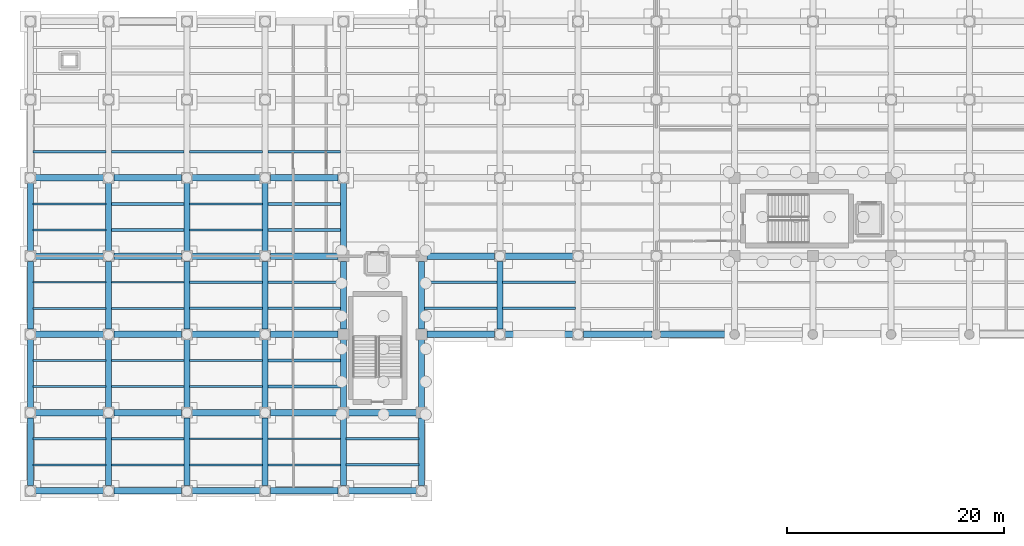
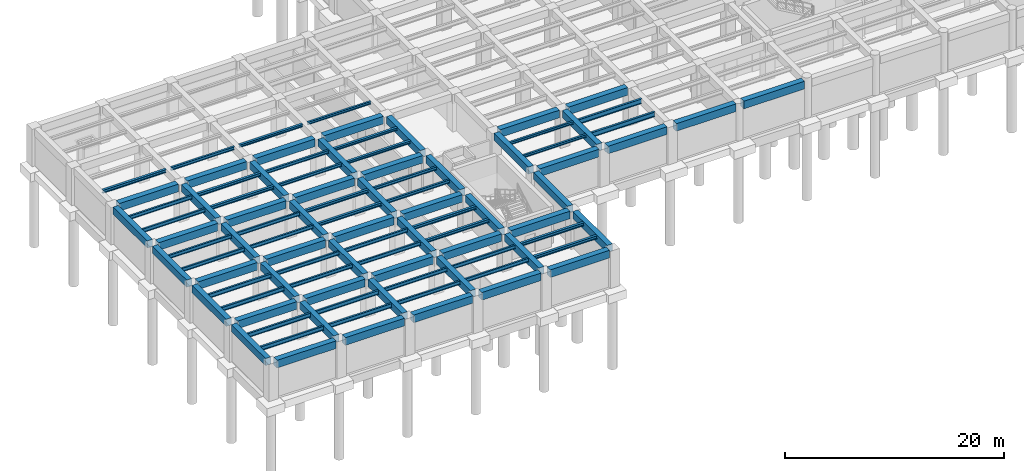
# One storey, part 8 of 34: 94 beams.
"""IFC4 building model written with IfcOpenShell, lengths in metres."""

from ifc_helpers import new_model, si_unit, direction, frame, origin, origin_2d, place, context, subcontext, project, spatial, rectangle, i_section, extrude, material, material_profile, profile_set, type_object, element, save


model = new_model("IFC4")

# Units and contexts
model_context = context("Model", 3, precision=1e-05, world=origin(), true_north=direction((0.0, 1.0)))
body_context = subcontext(model_context, "Body", "Model", "MODEL_VIEW")
ifc_project = project(units=[si_unit("LENGTHUNIT", "METRE"), si_unit("AREAUNIT", "SQUARE_METRE"), si_unit("VOLUMEUNIT", "CUBIC_METRE"), si_unit("PLANEANGLEUNIT", "RADIAN"), si_unit("MASSUNIT", "GRAM", prefix="KILO")], contexts=[model_context])

# Site, building, storey
site_placement = place(None, origin())
site = spatial("IfcSite", under=ifc_project, at=site_placement, CompositionType="ELEMENT")
building_placement = place(site_placement, origin())
building = spatial("IfcBuilding", under=site, at=building_placement, Name="Solenvale Faculty of Natural Sciences", CompositionType="ELEMENT")
storey_placement = place(building_placement, frame((0.0, 0.0, -4.5)))
storey = spatial("IfcBuildingStorey", under=building, at=storey_placement, Name="B01", CompositionType="ELEMENT", Elevation=-4.5)

# Beams
ifc_material_1 = material(Name="Concrete 40 MPa", Category="concrete")
ifc_material_profile_1 = material_profile(ifc_material_1, rectangle(XDim=0.550048828125, YDim=0.800048828125, at=origin_2d()), Name="RC-BM-550x800")
ifc_profile_set_1 = profile_set([ifc_material_profile_1], Name="Concrete 40 MPa")
beam_type_1 = type_object("IfcBeamType", Name="BM-RC-550x800", PredefinedType="BEAM", material=ifc_profile_set_1)
for number, where, z_axis, x_axis, name in (
    (1, (0.0, 0.47998046875, 3.75), (0.0, 1.0, 0.0), (-1.0, 0.0, 0.0), "B01 Y-Girder X0.0 (0.0..7.2)"),
    (2, (0.0, 7.679931640625, 3.75), (0.0, 1.0, 0.0), (-1.0, 0.0, 0.0), "B01 Y-Girder X0.0 (7.2..14.4)"),
):
    element("IfcBeam", number, at=place(storey_placement, frame(where, z_axis=z_axis, x_axis=x_axis)), inside=storey, type_object=beam_type_1, Name=name, PredefinedType="BEAM", context=body_context, shape_type="SweptSolid", body=[
        extrude(rectangle(XDim=0.550048828125, YDim=0.800048828125, at=origin_2d()), origin(), (0.0, 0.0, 1.0), 6.239990234375),
    ])
beam_1_placement = place(storey_placement, frame((0.0, 14.8798828125, 3.75), z_axis=(0.0, 1.0, 0.0), x_axis=(-1.0, 0.0, 0.0)))
element("IfcBeam", 3, at=beam_1_placement, inside=storey, type_object=beam_type_1, Name="B01 Y-Girder X0.0 (14.4..21.6)", PredefinedType="BEAM", context=body_context, shape_type="SweptSolid", body=[
    extrude(rectangle(XDim=0.550048828125, YDim=0.800048828125, at=origin_2d()), origin(), (0.0, 0.0, 1.0), 6.240234375),
])
for number, where, z_axis, x_axis, name in (
    (4, (0.0, 22.080078125, 3.75), (0.0, 1.0, 0.0), (-1.0, 0.0, 0.0), "B01 Y-Girder X0.0 (21.6..28.8)"),
    (5, (7.199951171875, 0.47998046875, 3.75), (0.0, 1.0, 0.0), (-1.0, 0.0, 0.0), "B01 Y-Girder X7.2 (0.0..7.2)"),
    (6, (7.199951171875, 7.679931640625, 3.75), (0.0, 1.0, 0.0), (-1.0, 0.0, 0.0), "B01 Y-Girder X7.2 (7.2..14.4)"),
):
    element("IfcBeam", number, at=place(storey_placement, frame(where, z_axis=z_axis, x_axis=x_axis)), inside=storey, type_object=beam_type_1, Name=name, PredefinedType="BEAM", context=body_context, shape_type="SweptSolid", body=[
        extrude(rectangle(XDim=0.550048828125, YDim=0.800048828125, at=origin_2d()), origin(), (0.0, 0.0, 1.0), 6.239990234375),
    ])
beam_2_placement = place(storey_placement, frame((7.199951171875, 14.8798828125, 3.75), z_axis=(0.0, 1.0, 0.0), x_axis=(-1.0, 0.0, 0.0)))
element("IfcBeam", 7, at=beam_2_placement, inside=storey, type_object=beam_type_1, Name="B01 Y-Girder X7.2 (14.4..21.6)", PredefinedType="BEAM", context=body_context, shape_type="SweptSolid", body=[
    extrude(rectangle(XDim=0.550048828125, YDim=0.800048828125, at=origin_2d()), origin(), (0.0, 0.0, 1.0), 6.240234375),
])
for number, where, z_axis, x_axis, name in (
    (8, (7.199951171875, 22.080078125, 3.75), (0.0, 1.0, 0.0), (-1.0, 0.0, 0.0), "B01 Y-Girder X7.2 (21.6..28.8)"),
    (9, (14.39990234375, 0.47998046875, 3.75), (0.0, 1.0, 0.0), (-1.0, 0.0, 0.0), "B01 Y-Girder X14.4 (0.0..7.2)"),
    (10, (14.39990234375, 7.679931640625, 3.75), (0.0, 1.0, 0.0), (-1.0, 0.0, 0.0), "B01 Y-Girder X14.4 (7.2..14.4)"),
):
    element("IfcBeam", number, at=place(storey_placement, frame(where, z_axis=z_axis, x_axis=x_axis)), inside=storey, type_object=beam_type_1, Name=name, PredefinedType="BEAM", context=body_context, shape_type="SweptSolid", body=[
        extrude(rectangle(XDim=0.550048828125, YDim=0.800048828125, at=origin_2d()), origin(), (0.0, 0.0, 1.0), 6.239990234375),
    ])
beam_3_placement = place(storey_placement, frame((14.39990234375, 14.8798828125, 3.75), z_axis=(0.0, 1.0, 0.0), x_axis=(-1.0, 0.0, 0.0)))
element("IfcBeam", 11, at=beam_3_placement, inside=storey, type_object=beam_type_1, Name="B01 Y-Girder X14.4 (14.4..21.6)", PredefinedType="BEAM", context=body_context, shape_type="SweptSolid", body=[
    extrude(rectangle(XDim=0.550048828125, YDim=0.800048828125, at=origin_2d()), origin(), (0.0, 0.0, 1.0), 6.240234375),
])
for number, where, z_axis, x_axis, name in (
    (12, (14.39990234375, 22.080078125, 3.75), (0.0, 1.0, 0.0), (-1.0, 0.0, 0.0), "B01 Y-Girder X14.4 (21.6..28.8)"),
    (13, (21.60009765625, 0.47998046875, 3.75), (0.0, 1.0, 0.0), (-1.0, 0.0, 0.0), "B01 Y-Girder X21.6 (0.0..7.2)"),
    (14, (21.60009765625, 7.679931640625, 3.75), (0.0, 1.0, 0.0), (-1.0, 0.0, 0.0), "B01 Y-Girder X21.6 (7.2..14.4)"),
):
    element("IfcBeam", number, at=place(storey_placement, frame(where, z_axis=z_axis, x_axis=x_axis)), inside=storey, type_object=beam_type_1, Name=name, PredefinedType="BEAM", context=body_context, shape_type="SweptSolid", body=[
        extrude(rectangle(XDim=0.550048828125, YDim=0.800048828125, at=origin_2d()), origin(), (0.0, 0.0, 1.0), 6.239990234375),
    ])
beam_4_placement = place(storey_placement, frame((21.60009765625, 14.8798828125, 3.75), z_axis=(0.0, 1.0, 0.0), x_axis=(-1.0, 0.0, 0.0)))
element("IfcBeam", 15, at=beam_4_placement, inside=storey, type_object=beam_type_1, Name="B01 Y-Girder X21.6 (14.4..21.6)", PredefinedType="BEAM", context=body_context, shape_type="SweptSolid", body=[
    extrude(rectangle(XDim=0.550048828125, YDim=0.800048828125, at=origin_2d()), origin(), (0.0, 0.0, 1.0), 6.240234375),
])
for number, where, z_axis, x_axis, name in (
    (16, (21.60009765625, 22.080078125, 3.75), (0.0, 1.0, 0.0), (-1.0, 0.0, 0.0), "B01 Y-Girder X21.6 (21.6..28.8)"),
    (17, (28.800048828125, 0.47998046875, 3.75), (0.0, 1.0, 0.0), (-1.0, 0.0, 0.0), "B01 Y-Girder X28.8 (0.0..7.2)"),
    (18, (28.800048828125, 7.679931640625, 3.75), (0.0, 1.0, 0.0), (-1.0, 0.0, 0.0), "B01 Y-Girder X28.8 (7.2..14.4)"),
):
    element("IfcBeam", number, at=place(storey_placement, frame(where, z_axis=z_axis, x_axis=x_axis)), inside=storey, type_object=beam_type_1, Name=name, PredefinedType="BEAM", context=body_context, shape_type="SweptSolid", body=[
        extrude(rectangle(XDim=0.550048828125, YDim=0.800048828125, at=origin_2d()), origin(), (0.0, 0.0, 1.0), 6.239990234375),
    ])
beam_5_placement = place(storey_placement, frame((28.800048828125, 14.8798828125, 3.75), z_axis=(0.0, 1.0, 0.0), x_axis=(-1.0, 0.0, 0.0)))
element("IfcBeam", 19, at=beam_5_placement, inside=storey, type_object=beam_type_1, Name="B01 Y-Girder X28.8 (14.4..21.6)", PredefinedType="BEAM", context=body_context, shape_type="SweptSolid", body=[
    extrude(rectangle(XDim=0.550048828125, YDim=0.800048828125, at=origin_2d()), origin(), (0.0, 0.0, 1.0), 6.240234375),
])
for number, where, z_axis, x_axis, name in (
    (20, (28.800048828125, 22.080078125, 3.75), (0.0, 1.0, 0.0), (-1.0, 0.0, 0.0), "B01 Y-Girder X28.8 (21.6..28.8)"),
    (21, (36.0, 0.47998046875, 3.75), (0.0, 1.0, 0.0), (-1.0, 0.0, 0.0), "B01 Y-Girder X36.0 (0.0..7.2)"),
    (22, (36.0, 7.679931640625, 3.75), (0.0, 1.0, 0.0), (-1.0, 0.0, 0.0), "B01 Y-Girder X36.0 (7.2..14.4)"),
):
    element("IfcBeam", number, at=place(storey_placement, frame(where, z_axis=z_axis, x_axis=x_axis)), inside=storey, type_object=beam_type_1, Name=name, PredefinedType="BEAM", context=body_context, shape_type="SweptSolid", body=[
        extrude(rectangle(XDim=0.550048828125, YDim=0.800048828125, at=origin_2d()), origin(), (0.0, 0.0, 1.0), 6.239990234375),
    ])
for number, where, z_axis, x_axis, name in (
    (23, (36.0, 14.8798828125, 3.75), (0.0, 1.0, 0.0), (-1.0, 0.0, 0.0), "B01 Y-Girder X36.0 (14.4..21.6)"),
    (24, (43.199951171875, 14.8798828125, 3.75), (0.0, 1.0, 0.0), (-1.0, 0.0, 0.0), "B01 Y-Girder X43.2 (14.4..21.6)"),
):
    element("IfcBeam", number, at=place(storey_placement, frame(where, z_axis=z_axis, x_axis=x_axis)), inside=storey, type_object=beam_type_1, Name=name, PredefinedType="BEAM", context=body_context, shape_type="SweptSolid", body=[
        extrude(rectangle(XDim=0.550048828125, YDim=0.800048828125, at=origin_2d()), origin(), (0.0, 0.0, 1.0), 6.240234375),
    ])
ifc_material_profile_2 = material_profile(ifc_material_1, rectangle(XDim=0.60009765625, YDim=0.85009765625, at=origin_2d()), Name="RC-BM-600x850")
ifc_profile_set_2 = profile_set([ifc_material_profile_2], Name="Concrete 40 MPa")
beam_type_2 = type_object("IfcBeamType", Name="BM-RC-600x850", PredefinedType="BEAM", material=ifc_profile_set_2)
for number, where, z_axis, x_axis, name in (
    (25, (0.47998046875, 0.0, 3.72509765625), (1.0, 0.0, 0.0), (0.0, 1.0, 0.0), "B01 X-Girder Y0.0 (0.0..7.2)"),
    (26, (7.679931640625, 0.0, 3.72509765625), (1.0, 0.0, 0.0), (0.0, 1.0, 0.0), "B01 X-Girder Y0.0 (7.2..14.4)"),
):
    element("IfcBeam", number, at=place(storey_placement, frame(where, z_axis=z_axis, x_axis=x_axis)), inside=storey, type_object=beam_type_2, Name=name, PredefinedType="BEAM", context=body_context, shape_type="SweptSolid", body=[
        extrude(rectangle(XDim=0.60009765625, YDim=0.85009765625, at=origin_2d()), origin(), (0.0, 0.0, 1.0), 6.239990234375),
    ])
beam_6_placement = place(storey_placement, frame((14.8798828125, 0.0, 3.72509765625), z_axis=(1.0, 0.0, 0.0), x_axis=(0.0, 1.0, 0.0)))
element("IfcBeam", 27, at=beam_6_placement, inside=storey, type_object=beam_type_2, Name="B01 X-Girder Y0.0 (14.4..21.6)", PredefinedType="BEAM", context=body_context, shape_type="SweptSolid", body=[
    extrude(rectangle(XDim=0.60009765625, YDim=0.85009765625, at=origin_2d()), origin(), (0.0, 0.0, 1.0), 6.240234375),
])
for number, where, z_axis, x_axis, name in (
    (28, (22.080078125, 0.0, 3.72509765625), (1.0, 0.0, 0.0), (0.0, 1.0, 0.0), "B01 X-Girder Y0.0 (21.6..28.8)"),
    (29, (29.280029296875, 0.0, 3.72509765625), (1.0, 0.0, 0.0), (0.0, 1.0, 0.0), "B01 X-Girder Y0.0 (28.8..36.0)"),
    (30, (0.47998046875, 7.199951171875, 3.72509765625), (1.0, 0.0, 0.0), (0.0, 1.0, 0.0), "B01 X-Girder Y7.2 (0.0..7.2)"),
    (31, (7.679931640625, 7.199951171875, 3.72509765625), (1.0, 0.0, 0.0), (0.0, 1.0, 0.0), "B01 X-Girder Y7.2 (7.2..14.4)"),
):
    element("IfcBeam", number, at=place(storey_placement, frame(where, z_axis=z_axis, x_axis=x_axis)), inside=storey, type_object=beam_type_2, Name=name, PredefinedType="BEAM", context=body_context, shape_type="SweptSolid", body=[
        extrude(rectangle(XDim=0.60009765625, YDim=0.85009765625, at=origin_2d()), origin(), (0.0, 0.0, 1.0), 6.239990234375),
    ])
beam_7_placement = place(storey_placement, frame((14.8798828125, 7.199951171875, 3.72509765625), z_axis=(1.0, 0.0, 0.0), x_axis=(0.0, 1.0, 0.0)))
element("IfcBeam", 32, at=beam_7_placement, inside=storey, type_object=beam_type_2, Name="B01 X-Girder Y7.2 (14.4..21.6)", PredefinedType="BEAM", context=body_context, shape_type="SweptSolid", body=[
    extrude(rectangle(XDim=0.60009765625, YDim=0.85009765625, at=origin_2d()), origin(), (0.0, 0.0, 1.0), 6.240234375),
])
for number, where, z_axis, x_axis, name in (
    (33, (22.080078125, 7.199951171875, 3.72509765625), (1.0, 0.0, 0.0), (0.0, 1.0, 0.0), "B01 X-Girder Y7.2 (21.6..28.8)"),
    (34, (29.280029296875, 7.199951171875, 3.72509765625), (1.0, 0.0, 0.0), (0.0, 1.0, 0.0), "B01 X-Girder Y7.2 (28.8..36.0)"),
    (35, (0.47998046875, 14.39990234375, 3.72509765625), (1.0, 0.0, 0.0), (0.0, 1.0, 0.0), "B01 X-Girder Y14.4 (0.0..7.2)"),
    (36, (7.679931640625, 14.39990234375, 3.72509765625), (1.0, 0.0, 0.0), (0.0, 1.0, 0.0), "B01 X-Girder Y14.4 (7.2..14.4)"),
):
    element("IfcBeam", number, at=place(storey_placement, frame(where, z_axis=z_axis, x_axis=x_axis)), inside=storey, type_object=beam_type_2, Name=name, PredefinedType="BEAM", context=body_context, shape_type="SweptSolid", body=[
        extrude(rectangle(XDim=0.60009765625, YDim=0.85009765625, at=origin_2d()), origin(), (0.0, 0.0, 1.0), 6.239990234375),
    ])
beam_8_placement = place(storey_placement, frame((14.8798828125, 14.39990234375, 3.72509765625), z_axis=(1.0, 0.0, 0.0), x_axis=(0.0, 1.0, 0.0)))
element("IfcBeam", 37, at=beam_8_placement, inside=storey, type_object=beam_type_2, Name="B01 X-Girder Y14.4 (14.4..21.6)", PredefinedType="BEAM", context=body_context, shape_type="SweptSolid", body=[
    extrude(rectangle(XDim=0.60009765625, YDim=0.85009765625, at=origin_2d()), origin(), (0.0, 0.0, 1.0), 6.240234375),
])
for number, where, z_axis, x_axis, name in (
    (38, (22.080078125, 14.39990234375, 3.72509765625), (1.0, 0.0, 0.0), (0.0, 1.0, 0.0), "B01 X-Girder Y14.4 (21.6..28.8)"),
    (39, (36.47998046875, 14.39990234375, 3.72509765625), (1.0, 0.0, 0.0), (0.0, 1.0, 0.0), "B01 X-Girder Y14.4 (36.0..43.2)"),
    (40, (43.679931640625, 14.39990234375, 3.72509765625), (1.0, 0.0, 0.0), (0.0, 1.0, 0.0), "B01 X-Girder Y14.4 (43.2..50.4)"),
):
    element("IfcBeam", number, at=place(storey_placement, frame(where, z_axis=z_axis, x_axis=x_axis)), inside=storey, type_object=beam_type_2, Name=name, PredefinedType="BEAM", context=body_context, shape_type="SweptSolid", body=[
        extrude(rectangle(XDim=0.60009765625, YDim=0.85009765625, at=origin_2d()), origin(), (0.0, 0.0, 1.0), 6.239990234375),
    ])
beam_9_placement = place(storey_placement, frame((50.8798828125, 14.39990234375, 3.72509765625), z_axis=(1.0, 0.0, 0.0), x_axis=(0.0, 1.0, 0.0)))
element("IfcBeam", 41, at=beam_9_placement, inside=storey, type_object=beam_type_2, Name="B01 X-Girder Y14.4 (50.4..57.6)", PredefinedType="BEAM", context=body_context, shape_type="SweptSolid", body=[
    extrude(rectangle(XDim=0.60009765625, YDim=0.85009765625, at=origin_2d()), origin(), (0.0, 0.0, 1.0), 6.315185546875),
])
beam_10_placement = place(storey_placement, frame((58.0048828125, 14.39990234375, 3.72509765625), z_axis=(1.0, 0.0, 0.0), x_axis=(0.0, 1.0, 0.0)))
element("IfcBeam", 42, at=beam_10_placement, inside=storey, type_object=beam_type_2, Name="B01 X-Girder Y14.4 (57.6..64.8)", PredefinedType="BEAM", context=body_context, shape_type="SweptSolid", body=[
    extrude(rectangle(XDim=0.60009765625, YDim=0.85009765625, at=origin_2d()), origin(), (0.0, 0.0, 1.0), 6.39013671875),
])
for number, where, z_axis, x_axis, name in (
    (43, (0.47998046875, 21.60009765625, 3.72509765625), (1.0, 0.0, 0.0), (0.0, 1.0, 0.0), "B01 X-Girder Y21.6 (0.0..7.2)"),
    (44, (7.679931640625, 21.60009765625, 3.72509765625), (1.0, 0.0, 0.0), (0.0, 1.0, 0.0), "B01 X-Girder Y21.6 (7.2..14.4)"),
):
    element("IfcBeam", number, at=place(storey_placement, frame(where, z_axis=z_axis, x_axis=x_axis)), inside=storey, type_object=beam_type_2, Name=name, PredefinedType="BEAM", context=body_context, shape_type="SweptSolid", body=[
        extrude(rectangle(XDim=0.60009765625, YDim=0.85009765625, at=origin_2d()), origin(), (0.0, 0.0, 1.0), 6.239990234375),
    ])
beam_11_placement = place(storey_placement, frame((14.8798828125, 21.60009765625, 3.72509765625), z_axis=(1.0, 0.0, 0.0), x_axis=(0.0, 1.0, 0.0)))
element("IfcBeam", 45, at=beam_11_placement, inside=storey, type_object=beam_type_2, Name="B01 X-Girder Y21.6 (14.4..21.6)", PredefinedType="BEAM", context=body_context, shape_type="SweptSolid", body=[
    extrude(rectangle(XDim=0.60009765625, YDim=0.85009765625, at=origin_2d()), origin(), (0.0, 0.0, 1.0), 6.240234375),
])
for number, where, z_axis, x_axis, name in (
    (46, (22.080078125, 21.60009765625, 3.72509765625), (1.0, 0.0, 0.0), (0.0, 1.0, 0.0), "B01 X-Girder Y21.6 (21.6..28.8)"),
    (47, (36.47998046875, 21.60009765625, 3.72509765625), (1.0, 0.0, 0.0), (0.0, 1.0, 0.0), "B01 X-Girder Y21.6 (36.0..43.2)"),
    (48, (43.679931640625, 21.60009765625, 3.72509765625), (1.0, 0.0, 0.0), (0.0, 1.0, 0.0), "B01 X-Girder Y21.6 (43.2..50.4)"),
    (49, (0.47998046875, 28.800048828125, 3.72509765625), (1.0, 0.0, 0.0), (0.0, 1.0, 0.0), "B01 X-Girder Y28.8 (0.0..7.2)"),
    (50, (7.679931640625, 28.800048828125, 3.72509765625), (1.0, 0.0, 0.0), (0.0, 1.0, 0.0), "B01 X-Girder Y28.8 (7.2..14.4)"),
):
    element("IfcBeam", number, at=place(storey_placement, frame(where, z_axis=z_axis, x_axis=x_axis)), inside=storey, type_object=beam_type_2, Name=name, PredefinedType="BEAM", context=body_context, shape_type="SweptSolid", body=[
        extrude(rectangle(XDim=0.60009765625, YDim=0.85009765625, at=origin_2d()), origin(), (0.0, 0.0, 1.0), 6.239990234375),
    ])
beam_12_placement = place(storey_placement, frame((14.8798828125, 28.800048828125, 3.72509765625), z_axis=(1.0, 0.0, 0.0), x_axis=(0.0, 1.0, 0.0)))
element("IfcBeam", 51, at=beam_12_placement, inside=storey, type_object=beam_type_2, Name="B01 X-Girder Y28.8 (14.4..21.6)", PredefinedType="BEAM", context=body_context, shape_type="SweptSolid", body=[
    extrude(rectangle(XDim=0.60009765625, YDim=0.85009765625, at=origin_2d()), origin(), (0.0, 0.0, 1.0), 6.240234375),
])
beam_13_placement = place(storey_placement, frame((22.080078125, 28.800048828125, 3.72509765625), z_axis=(1.0, 0.0, 0.0), x_axis=(0.0, 1.0, 0.0)))
element("IfcBeam", 52, at=beam_13_placement, inside=storey, type_object=beam_type_2, Name="B01 X-Girder Y28.8 (21.6..28.8)", PredefinedType="BEAM", context=body_context, shape_type="SweptSolid", body=[
    extrude(rectangle(XDim=0.60009765625, YDim=0.85009765625, at=origin_2d()), origin(), (0.0, 0.0, 1.0), 6.239990234375),
])
ifc_material_2 = material(Name="Steel S355", Category="steel")
ifc_material_profile_3 = material_profile(ifc_material_2, i_section(OverallWidth=0.202880859375, OverallDepth=0.302978515625, WebThickness=0.007568359375, FlangeThickness=0.01318359375, FilletRadius=0.014892578125, at=origin_2d()), Name="W310x60")
ifc_profile_set_3 = profile_set([ifc_material_profile_3], Name="Steel S355")
beam_type_3 = type_object("IfcBeamType", Name="BM-STL-W310x60", PredefinedType="JOIST", material=ifc_profile_set_3)
beam_14_placement = place(storey_placement, frame((21.85498046875, 31.199951171875, 3.99853515625), z_axis=(1.0, 0.0, 0.0), x_axis=(0.0, 1.0, 0.0)))
element("IfcBeam", 53, at=beam_14_placement, inside=storey, type_object=beam_type_3, Name="B01 Composite Floor Joist (4,5).1", PredefinedType="JOIST", context=body_context, shape_type="SweptSolid", body=[
    extrude(i_section(OverallWidth=0.202880859375, OverallDepth=0.302978515625, WebThickness=0.007568359375, FlangeThickness=0.01318359375, FilletRadius=0.014892578125, at=origin_2d()), origin(), (0.0, 0.0, 1.0), 6.68994140625),
])
for number, where, z_axis, x_axis, name in (
    (54, (36.2548828125, 16.800048828125, 3.99853515625), (1.0, 0.0, 0.0), (0.0, 1.0, 0.0), "B01 Composite Floor Joist (6,3).1"),
    (55, (36.2548828125, 19.199951171875, 3.99853515625), (1.0, 0.0, 0.0), (0.0, 1.0, 0.0), "B01 Composite Floor Joist (6,3).2"),
):
    element("IfcBeam", number, at=place(storey_placement, frame(where, z_axis=z_axis, x_axis=x_axis)), inside=storey, type_object=beam_type_3, Name=name, PredefinedType="JOIST", context=body_context, shape_type="SweptSolid", body=[
        extrude(i_section(OverallWidth=0.202880859375, OverallDepth=0.302978515625, WebThickness=0.007568359375, FlangeThickness=0.01318359375, FilletRadius=0.014892578125, at=origin_2d()), origin(), (0.0, 0.0, 1.0), 6.690185546875),
    ])
ifc_material_profile_4 = material_profile(ifc_material_2, i_section(OverallWidth=0.25390625, OverallDepth=0.305908203125, WebThickness=0.0087890625, FlangeThickness=0.0146484375, FilletRadius=0.014892578125, at=origin_2d()), Name="W310x79")
ifc_profile_set_4 = profile_set([ifc_material_profile_4], Name="Steel S355")
beam_type_4 = type_object("IfcBeamType", Name="BM-STL-W310x79", PredefinedType="JOIST", material=ifc_profile_set_4)
for number, where, z_axis, x_axis, name in (
    (56, (14.655029296875, 31.199951171875, 3.9970703125), (1.0, 0.0, 0.0), (0.0, 1.0, 0.0), "B01 Composite Floor Joist (3,5).1"),
    (57, (21.85498046875, 24.0, 3.9970703125), (1.0, 0.0, 0.0), (0.0, 1.0, 0.0), "B01 Composite Floor Joist (4,4).1"),
    (58, (21.85498046875, 26.39990234375, 3.9970703125), (1.0, 0.0, 0.0), (0.0, 1.0, 0.0), "B01 Composite Floor Joist (4,4).2"),
):
    element("IfcBeam", number, at=place(storey_placement, frame(where, z_axis=z_axis, x_axis=x_axis)), inside=storey, type_object=beam_type_4, Name=name, PredefinedType="JOIST", context=body_context, shape_type="SweptSolid", body=[
        extrude(i_section(OverallWidth=0.25390625, OverallDepth=0.305908203125, WebThickness=0.0087890625, FlangeThickness=0.0146484375, FilletRadius=0.014892578125, at=origin_2d()), origin(), (0.0, 0.0, 1.0), 6.68994140625),
    ])
ifc_material_profile_5 = material_profile(ifc_material_2, i_section(OverallWidth=0.2548828125, OverallDepth=0.35693359375, WebThickness=0.010498046875, FlangeThickness=0.018310546875, FilletRadius=0.014892578125, at=origin_2d()), Name="W360x101")
ifc_profile_set_5 = profile_set([ifc_material_profile_5], Name="Steel S355")
beam_type_5 = type_object("IfcBeamType", Name="BM-STL-W360x101", PredefinedType="JOIST", material=ifc_profile_set_5)
beam_15_placement = place(storey_placement, frame((0.2548828125, 31.199951171875, 3.971435546875), z_axis=(1.0, 0.0, 0.0), x_axis=(0.0, 1.0, 0.0)))
element("IfcBeam", 59, at=beam_15_placement, inside=storey, type_object=beam_type_5, Name="B01 Composite Floor Joist (1,5).1", PredefinedType="JOIST", context=body_context, shape_type="SweptSolid", body=[
    extrude(i_section(OverallWidth=0.2548828125, OverallDepth=0.35693359375, WebThickness=0.010498046875, FlangeThickness=0.018310546875, FilletRadius=0.014892578125, at=origin_2d()), origin(), (0.0, 0.0, 1.0), 6.690185546875),
])
for number, where, z_axis, x_axis, name in (
    (60, (7.455078125, 24.0, 3.971435546875), (1.0, 0.0, 0.0), (0.0, 1.0, 0.0), "B01 Composite Floor Joist (2,4).1"),
    (61, (7.455078125, 26.39990234375, 3.971435546875), (1.0, 0.0, 0.0), (0.0, 1.0, 0.0), "B01 Composite Floor Joist (2,4).2"),
    (62, (14.655029296875, 16.800048828125, 3.971435546875), (1.0, 0.0, 0.0), (0.0, 1.0, 0.0), "B01 Composite Floor Joist (3,3).1"),
    (63, (14.655029296875, 19.199951171875, 3.971435546875), (1.0, 0.0, 0.0), (0.0, 1.0, 0.0), "B01 Composite Floor Joist (3,3).2"),
    (64, (21.85498046875, 9.60009765625, 3.971435546875), (1.0, 0.0, 0.0), (0.0, 1.0, 0.0), "B01 Composite Floor Joist (4,2).1"),
    (65, (21.85498046875, 12.0, 3.971435546875), (1.0, 0.0, 0.0), (0.0, 1.0, 0.0), "B01 Composite Floor Joist (4,2).2"),
):
    element("IfcBeam", number, at=place(storey_placement, frame(where, z_axis=z_axis, x_axis=x_axis)), inside=storey, type_object=beam_type_5, Name=name, PredefinedType="JOIST", context=body_context, shape_type="SweptSolid", body=[
        extrude(i_section(OverallWidth=0.2548828125, OverallDepth=0.35693359375, WebThickness=0.010498046875, FlangeThickness=0.018310546875, FilletRadius=0.014892578125, at=origin_2d()), origin(), (0.0, 0.0, 1.0), 6.68994140625),
    ])
for number, where, z_axis, x_axis, name in (
    (66, (29.054931640625, 2.39990234375, 3.971435546875), (1.0, 0.0, 0.0), (0.0, 1.0, 0.0), "B01 Composite Floor Joist (5,1).1"),
    (67, (29.054931640625, 4.800048828125, 3.971435546875), (1.0, 0.0, 0.0), (0.0, 1.0, 0.0), "B01 Composite Floor Joist (5,1).2"),
):
    element("IfcBeam", number, at=place(storey_placement, frame(where, z_axis=z_axis, x_axis=x_axis)), inside=storey, type_object=beam_type_5, Name=name, PredefinedType="JOIST", context=body_context, shape_type="SweptSolid", body=[
        extrude(i_section(OverallWidth=0.2548828125, OverallDepth=0.35693359375, WebThickness=0.010498046875, FlangeThickness=0.018310546875, FilletRadius=0.014892578125, at=origin_2d()), origin(), (0.0, 0.0, 1.0), 6.690185546875),
    ])
ifc_material_profile_6 = material_profile(ifc_material_2, i_section(OverallWidth=0.2041015625, OverallDepth=0.35009765625, WebThickness=0.008544921875, FlangeThickness=0.01513671875, FilletRadius=0.014892578125, at=origin_2d()), Name="W360x72")
ifc_profile_set_6 = profile_set([ifc_material_profile_6], Name="Steel S355")
beam_type_6 = type_object("IfcBeamType", Name="BM-STL-W360x72", PredefinedType="JOIST", material=ifc_profile_set_6)
for number, where, z_axis, x_axis, name in (
    (68, (7.455078125, 31.199951171875, 3.97509765625), (1.0, 0.0, 0.0), (0.0, 1.0, 0.0), "B01 Composite Floor Joist (2,5).1"),
    (69, (14.655029296875, 24.0, 3.97509765625), (1.0, 0.0, 0.0), (0.0, 1.0, 0.0), "B01 Composite Floor Joist (3,4).1"),
    (70, (14.655029296875, 26.39990234375, 3.97509765625), (1.0, 0.0, 0.0), (0.0, 1.0, 0.0), "B01 Composite Floor Joist (3,4).2"),
    (71, (21.85498046875, 16.800048828125, 3.97509765625), (1.0, 0.0, 0.0), (0.0, 1.0, 0.0), "B01 Composite Floor Joist (4,3).1"),
    (72, (21.85498046875, 19.199951171875, 3.97509765625), (1.0, 0.0, 0.0), (0.0, 1.0, 0.0), "B01 Composite Floor Joist (4,3).2"),
):
    element("IfcBeam", number, at=place(storey_placement, frame(where, z_axis=z_axis, x_axis=x_axis)), inside=storey, type_object=beam_type_6, Name=name, PredefinedType="JOIST", context=body_context, shape_type="SweptSolid", body=[
        extrude(i_section(OverallWidth=0.2041015625, OverallDepth=0.35009765625, WebThickness=0.008544921875, FlangeThickness=0.01513671875, FilletRadius=0.014892578125, at=origin_2d()), origin(), (0.0, 0.0, 1.0), 6.68994140625),
    ])
ifc_material_profile_7 = material_profile(ifc_material_2, i_section(OverallWidth=0.178955078125, OverallDepth=0.409912109375, WebThickness=0.0087890625, FlangeThickness=0.014404296875, FilletRadius=0.01611328125, at=origin_2d()), Name="W410x67")
ifc_profile_set_7 = profile_set([ifc_material_profile_7], Name="Steel S355")
beam_type_7 = type_object("IfcBeamType", Name="BM-STL-W410x67", PredefinedType="JOIST", material=ifc_profile_set_7)
for number, where, z_axis, x_axis, name in (
    (73, (0.2548828125, 24.0, 3.945068359375), (1.0, 0.0, 0.0), (0.0, 1.0, 0.0), "B01 Composite Floor Joist (1,4).1"),
    (74, (0.2548828125, 26.39990234375, 3.945068359375), (1.0, 0.0, 0.0), (0.0, 1.0, 0.0), "B01 Composite Floor Joist (1,4).2"),
):
    element("IfcBeam", number, at=place(storey_placement, frame(where, z_axis=z_axis, x_axis=x_axis)), inside=storey, type_object=beam_type_7, Name=name, PredefinedType="JOIST", context=body_context, shape_type="SweptSolid", body=[
        extrude(i_section(OverallWidth=0.178955078125, OverallDepth=0.409912109375, WebThickness=0.0087890625, FlangeThickness=0.014404296875, FilletRadius=0.01611328125, at=origin_2d()), origin(), (0.0, 0.0, 1.0), 6.690185546875),
    ])
for number, where, z_axis, x_axis, name in (
    (75, (7.455078125, 16.800048828125, 3.945068359375), (1.0, 0.0, 0.0), (0.0, 1.0, 0.0), "B01 Composite Floor Joist (2,3).1"),
    (76, (7.455078125, 19.199951171875, 3.945068359375), (1.0, 0.0, 0.0), (0.0, 1.0, 0.0), "B01 Composite Floor Joist (2,3).2"),
    (77, (14.655029296875, 9.60009765625, 3.945068359375), (1.0, 0.0, 0.0), (0.0, 1.0, 0.0), "B01 Composite Floor Joist (3,2).1"),
    (78, (14.655029296875, 12.0, 3.945068359375), (1.0, 0.0, 0.0), (0.0, 1.0, 0.0), "B01 Composite Floor Joist (3,2).2"),
    (79, (21.85498046875, 2.39990234375, 3.945068359375), (1.0, 0.0, 0.0), (0.0, 1.0, 0.0), "B01 Composite Floor Joist (4,1).1"),
    (80, (21.85498046875, 4.800048828125, 3.945068359375), (1.0, 0.0, 0.0), (0.0, 1.0, 0.0), "B01 Composite Floor Joist (4,1).2"),
):
    element("IfcBeam", number, at=place(storey_placement, frame(where, z_axis=z_axis, x_axis=x_axis)), inside=storey, type_object=beam_type_7, Name=name, PredefinedType="JOIST", context=body_context, shape_type="SweptSolid", body=[
        extrude(i_section(OverallWidth=0.178955078125, OverallDepth=0.409912109375, WebThickness=0.0087890625, FlangeThickness=0.014404296875, FilletRadius=0.01611328125, at=origin_2d()), origin(), (0.0, 0.0, 1.0), 6.68994140625),
    ])
ifc_material_profile_8 = material_profile(ifc_material_2, i_section(OverallWidth=0.180908203125, OverallDepth=0.4169921875, WebThickness=0.010986328125, FlangeThickness=0.018310546875, FilletRadius=0.01611328125, at=origin_2d()), Name="W410x85")
ifc_profile_set_8 = profile_set([ifc_material_profile_8], Name="Steel S355")
beam_type_8 = type_object("IfcBeamType", Name="BM-STL-W410x85", PredefinedType="JOIST", material=ifc_profile_set_8)
for number, where, z_axis, x_axis, name in (
    (81, (0.2548828125, 16.800048828125, 3.94140625), (1.0, 0.0, 0.0), (0.0, 1.0, 0.0), "B01 Composite Floor Joist (1,3).1"),
    (82, (0.2548828125, 19.199951171875, 3.94140625), (1.0, 0.0, 0.0), (0.0, 1.0, 0.0), "B01 Composite Floor Joist (1,3).2"),
):
    element("IfcBeam", number, at=place(storey_placement, frame(where, z_axis=z_axis, x_axis=x_axis)), inside=storey, type_object=beam_type_8, Name=name, PredefinedType="JOIST", context=body_context, shape_type="SweptSolid", body=[
        extrude(i_section(OverallWidth=0.180908203125, OverallDepth=0.4169921875, WebThickness=0.010986328125, FlangeThickness=0.018310546875, FilletRadius=0.01611328125, at=origin_2d()), origin(), (0.0, 0.0, 1.0), 6.690185546875),
    ])
for number, where, z_axis, x_axis, name in (
    (83, (7.455078125, 9.60009765625, 3.94140625), (1.0, 0.0, 0.0), (0.0, 1.0, 0.0), "B01 Composite Floor Joist (2,2).1"),
    (84, (7.455078125, 12.0, 3.94140625), (1.0, 0.0, 0.0), (0.0, 1.0, 0.0), "B01 Composite Floor Joist (2,2).2"),
    (85, (14.655029296875, 2.39990234375, 3.94140625), (1.0, 0.0, 0.0), (0.0, 1.0, 0.0), "B01 Composite Floor Joist (3,1).1"),
    (86, (14.655029296875, 4.800048828125, 3.94140625), (1.0, 0.0, 0.0), (0.0, 1.0, 0.0), "B01 Composite Floor Joist (3,1).2"),
):
    element("IfcBeam", number, at=place(storey_placement, frame(where, z_axis=z_axis, x_axis=x_axis)), inside=storey, type_object=beam_type_8, Name=name, PredefinedType="JOIST", context=body_context, shape_type="SweptSolid", body=[
        extrude(i_section(OverallWidth=0.180908203125, OverallDepth=0.4169921875, WebThickness=0.010986328125, FlangeThickness=0.018310546875, FilletRadius=0.01611328125, at=origin_2d()), origin(), (0.0, 0.0, 1.0), 6.68994140625),
    ])
ifc_material_profile_9 = material_profile(ifc_material_2, i_section(OverallWidth=0.194091796875, OverallDepth=0.468994140625, WebThickness=0.0126953125, FlangeThickness=0.0205078125, FilletRadius=0.01806640625, at=origin_2d()), Name="W460x106")
ifc_profile_set_9 = profile_set([ifc_material_profile_9], Name="Steel S355")
beam_type_9 = type_object("IfcBeamType", Name="BM-STL-W460x106", PredefinedType="JOIST", material=ifc_profile_set_9)
for number, where, z_axis, x_axis, name in (
    (87, (0.2548828125, 2.39990234375, 3.91552734375), (1.0, 0.0, 0.0), (0.0, 1.0, 0.0), "B01 Composite Floor Joist (1,1).1"),
    (88, (0.2548828125, 4.800048828125, 3.91552734375), (1.0, 0.0, 0.0), (0.0, 1.0, 0.0), "B01 Composite Floor Joist (1,1).2"),
):
    element("IfcBeam", number, at=place(storey_placement, frame(where, z_axis=z_axis, x_axis=x_axis)), inside=storey, type_object=beam_type_9, Name=name, PredefinedType="JOIST", context=body_context, shape_type="SweptSolid", body=[
        extrude(i_section(OverallWidth=0.194091796875, OverallDepth=0.468994140625, WebThickness=0.0126953125, FlangeThickness=0.0205078125, FilletRadius=0.01806640625, at=origin_2d()), origin(), (0.0, 0.0, 1.0), 6.690185546875),
    ])
ifc_material_profile_10 = material_profile(ifc_material_2, i_section(OverallWidth=0.19091796875, OverallDepth=0.4599609375, WebThickness=0.010009765625, FlangeThickness=0.01611328125, FilletRadius=0.01806640625, at=origin_2d()), Name="W460x82")
ifc_profile_set_10 = profile_set([ifc_material_profile_10], Name="Steel S355")
beam_type_10 = type_object("IfcBeamType", Name="BM-STL-W460x82", PredefinedType="JOIST", material=ifc_profile_set_10)
for number, where, z_axis, x_axis, name in (
    (89, (0.2548828125, 9.60009765625, 3.919921875), (1.0, 0.0, 0.0), (0.0, 1.0, 0.0), "B01 Composite Floor Joist (1,2).1"),
    (90, (0.2548828125, 12.0, 3.919921875), (1.0, 0.0, 0.0), (0.0, 1.0, 0.0), "B01 Composite Floor Joist (1,2).2"),
):
    element("IfcBeam", number, at=place(storey_placement, frame(where, z_axis=z_axis, x_axis=x_axis)), inside=storey, type_object=beam_type_10, Name=name, PredefinedType="JOIST", context=body_context, shape_type="SweptSolid", body=[
        extrude(i_section(OverallWidth=0.19091796875, OverallDepth=0.4599609375, WebThickness=0.010009765625, FlangeThickness=0.01611328125, FilletRadius=0.01806640625, at=origin_2d()), origin(), (0.0, 0.0, 1.0), 6.690185546875),
    ])
for number, where, z_axis, x_axis, name in (
    (91, (7.455078125, 2.39990234375, 3.919921875), (1.0, 0.0, 0.0), (0.0, 1.0, 0.0), "B01 Composite Floor Joist (2,1).1"),
    (92, (7.455078125, 4.800048828125, 3.919921875), (1.0, 0.0, 0.0), (0.0, 1.0, 0.0), "B01 Composite Floor Joist (2,1).2"),
):
    element("IfcBeam", number, at=place(storey_placement, frame(where, z_axis=z_axis, x_axis=x_axis)), inside=storey, type_object=beam_type_10, Name=name, PredefinedType="JOIST", context=body_context, shape_type="SweptSolid", body=[
        extrude(i_section(OverallWidth=0.19091796875, OverallDepth=0.4599609375, WebThickness=0.010009765625, FlangeThickness=0.01611328125, FilletRadius=0.01806640625, at=origin_2d()), origin(), (0.0, 0.0, 1.0), 6.68994140625),
    ])
ifc_material_profile_11 = material_profile(ifc_material_2, i_section(OverallWidth=0.208984375, OverallDepth=0.532958984375, WebThickness=0.01025390625, FlangeThickness=0.015625, FilletRadius=0.01904296875, at=origin_2d()), Name="W530x92")
ifc_profile_set_11 = profile_set([ifc_material_profile_11], Name="Steel S355")
beam_type_11 = type_object("IfcBeamType", Name="BM-STL-W530x92", PredefinedType="JOIST", material=ifc_profile_set_11)
for number, where, z_axis, x_axis, name in (
    (93, (43.455078125, 16.800048828125, 3.883544921875), (1.0, 0.0, 0.0), (0.0, 1.0, 0.0), "B01 Composite Floor Joist (7,3).1"),
    (94, (43.455078125, 19.199951171875, 3.883544921875), (1.0, 0.0, 0.0), (0.0, 1.0, 0.0), "B01 Composite Floor Joist (7,3).2"),
):
    element("IfcBeam", number, at=place(storey_placement, frame(where, z_axis=z_axis, x_axis=x_axis)), inside=storey, type_object=beam_type_11, Name=name, PredefinedType="JOIST", context=body_context, shape_type="SweptSolid", body=[
        extrude(i_section(OverallWidth=0.208984375, OverallDepth=0.532958984375, WebThickness=0.01025390625, FlangeThickness=0.015625, FilletRadius=0.01904296875, at=origin_2d()), origin(), (0.0, 0.0, 1.0), 6.68994140625),
    ])

save(model, "model.ifc")
